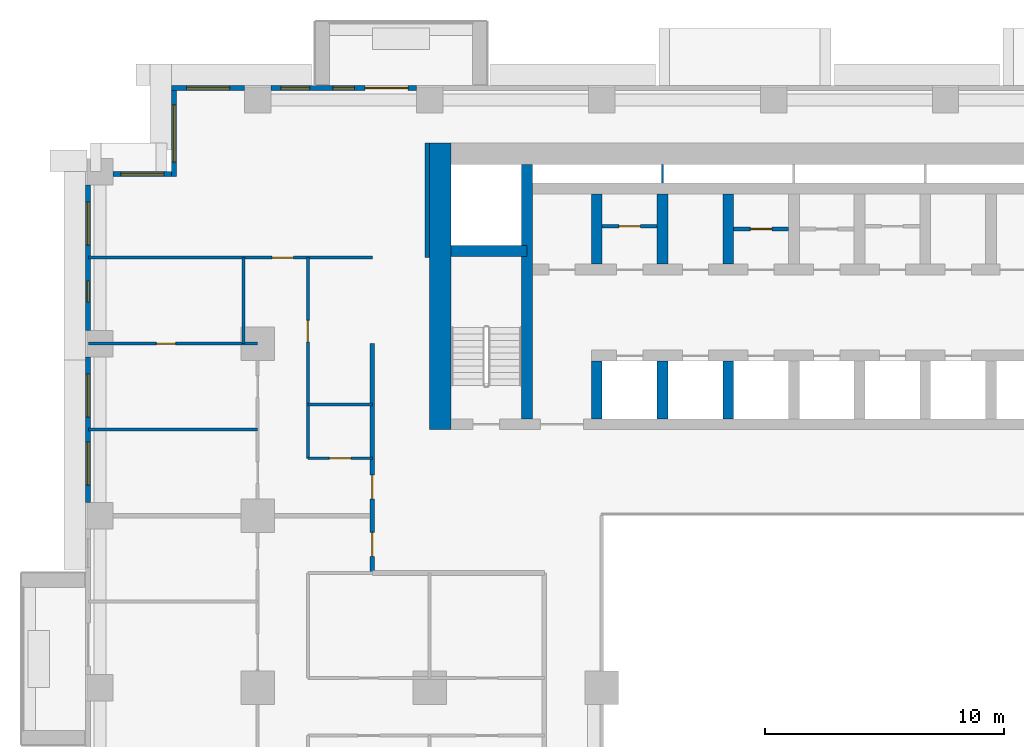
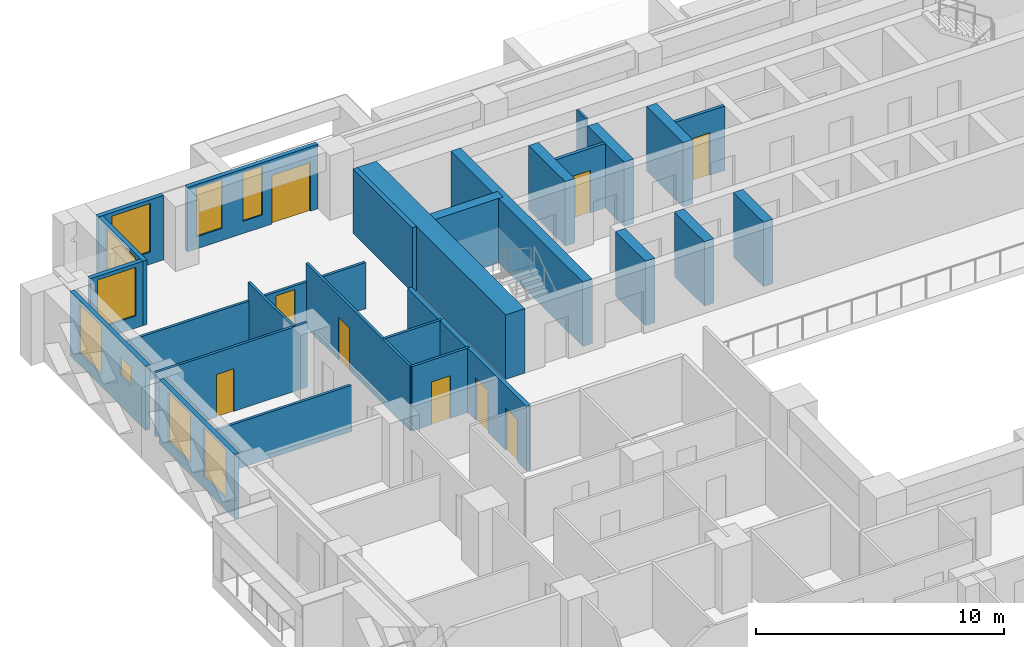
# One storey, part 9 of 16: 27 walls, 9 doors, 9 windows, 18 openings.
"""IFC4 building model written with IfcOpenShell, lengths in metres."""

from ifc_helpers import new_model, si_unit, direction, frame, frame_2d, origin, place, context, subcontext, project, spatial, rectangle, extrude, material, layer, layer_set, type_object, element, fill, save


model = new_model("IFC4")

# Units and contexts
model_context = context("Model", 3, precision=1e-05, world=origin(), true_north=direction((0.0, 1.0)))
body_context = subcontext(model_context, "Body", "Model", "MODEL_VIEW")
ifc_project = project(units=[si_unit("LENGTHUNIT", "METRE"), si_unit("AREAUNIT", "SQUARE_METRE"), si_unit("VOLUMEUNIT", "CUBIC_METRE"), si_unit("PLANEANGLEUNIT", "RADIAN"), si_unit("MASSUNIT", "GRAM", prefix="KILO")], contexts=[model_context])

# Site, building, storey
site_placement = place(None, origin())
site = spatial("IfcSite", under=ifc_project, at=site_placement, CompositionType="ELEMENT")
building_placement = place(site_placement, origin())
building = spatial("IfcBuilding", under=site, at=building_placement, Name="Saffron Iwan Residences", CompositionType="ELEMENT")
storey_placement = place(building_placement, frame((0.0, 0.0, 30.5)))
storey = spatial("IfcBuildingStorey", under=building, at=storey_placement, Name="L06", CompositionType="ELEMENT", Elevation=30.5)

# Wall, opening, door
ifc_material_1 = material(Name="Fire-rated plasterboard partition")
ifc_layer_1 = layer(ifc_material_1, 0.14990234375)
ifc_layer_set_1 = layer_set([ifc_layer_1], Name="Fire-rated plasterboard partition")
wall_type_1 = type_object("IfcWallType", Name="Core partition 150", PredefinedType="PARTITIONING", material=ifc_layer_set_1)
wall_1_placement = place(storey_placement, frame((36.02490234375, 74.51806640625, 0.0), z_axis=(0.0, 0.0, 1.0), x_axis=(1.0, 0.0, 0.0)))
wall_1 = element("IfcWall", 1, at=wall_1_placement, inside=storey, type_object=wall_type_1, Name="Core partition P01", PredefinedType="PARTITIONING", context=body_context, shape_type="SweptSolid", body=[
    extrude(rectangle(XDim=2.300048828125, YDim=0.14990234375, at=frame_2d((1.14990234375, 0.0))), origin(), (0.0, 0.0, 1.0), 3.179931640625),
])
opening_1_placement = place(wall_1_placement, frame((0.699951171875, 0.0, 0.0)))
opening_1 = element("IfcOpeningElement", 2, at=opening_1_placement, cuts=wall_1, Name="Opening SB", PredefinedType="OPENING", context=body_context, shape_type="SweptSolid", body=[
    extrude(rectangle(XDim=0.89990234375, YDim=2.10009765625, at=frame_2d((0.449951171875, 1.050048828125))), frame((0.0, 0.0849609375, 0.0), z_axis=(0.0, -1.0, 0.0), x_axis=(1.0, 0.0, 0.0)), (0.0, 0.0, 1.0), 0.169921875),
])
ifc_material_2 = material(Name="Steel fire door", Category="steel")
door_type_1 = type_object("IfcDoorType", Name="Store door 900", OperationType="NOTDEFINED", PredefinedType="DOOR", material=ifc_material_2)
door_1_placement = place(opening_1_placement, origin())
door_1 = element("IfcDoor", 3, at=door_1_placement, inside=storey, type_object=door_type_1, Name="Door Records store", OperationType="SINGLE_SWING_RIGHT", OverallHeight=2.10009765625, OverallWidth=0.89990234375, PredefinedType="DOOR", context=body_context, shape_type="SweptSolid", body=[
    extrude(rectangle(XDim=0.89990234375, YDim=2.10009765625, at=frame_2d((0.449951171875, 1.050048828125))), frame((0.0, 0.02490234375, 0.0), z_axis=(0.0, -1.0, 0.0), x_axis=(1.0, 0.0, 0.0)), (0.0, 0.0, 1.0), 0.050048828125),
])
fill(opening_1, door_1)

wall_2_placement = place(storey_placement, frame((41.52490234375, 74.39990234375, 0.0), z_axis=(0.0, 0.0, 1.0), x_axis=(1.0, 0.0, 0.0)))
wall_2 = element("IfcWall", 4, at=wall_2_placement, inside=storey, type_object=wall_type_1, Name="Core partition P02", PredefinedType="PARTITIONING", context=body_context, shape_type="SweptSolid", body=[
    extrude(rectangle(XDim=2.300048828125, YDim=0.14990234375, at=frame_2d((1.14990234375, 0.0))), origin(), (0.0, 0.0, 1.0), 3.179931640625),
])
opening_2_placement = place(wall_2_placement, frame((0.699951171875, 0.0, 0.0)))
opening_2 = element("IfcOpeningElement", 5, at=opening_2_placement, cuts=wall_2, Name="Opening SB", PredefinedType="OPENING", context=body_context, shape_type="SweptSolid", body=[
    extrude(rectangle(XDim=0.89990234375, YDim=2.10009765625, at=frame_2d((0.449951171875, 1.050048828125))), frame((0.0, 0.0849609375, 0.0), z_axis=(0.0, -1.0, 0.0), x_axis=(1.0, 0.0, 0.0)), (0.0, 0.0, 1.0), 0.169921875),
])
door_2_placement = place(opening_2_placement, origin())
door_2 = element("IfcDoor", 6, at=door_2_placement, inside=storey, type_object=door_type_1, Name="Door Tool store", OperationType="SINGLE_SWING_LEFT", OverallHeight=2.10009765625, OverallWidth=0.89990234375, PredefinedType="DOOR", context=body_context, shape_type="SweptSolid", body=[
    extrude(rectangle(XDim=0.89990234375, YDim=2.10009765625, at=frame_2d((0.449951171875, 1.050048828125))), frame((0.0, 0.02490234375, 0.0), z_axis=(0.0, -1.0, 0.0), x_axis=(1.0, 0.0, 0.0)), (0.0, 0.0, 1.0), 0.050048828125),
])
fill(opening_2, door_2)

# Wall, openings, door, windows
ifc_material_3 = material(Name="Concrete C40/50", Category="concrete")
ifc_layer_2 = layer(ifc_material_3, 0.199951171875)
ifc_layer_set_2 = layer_set([ifc_layer_2], Name="Concrete C40/50")
wall_type_2 = type_object("IfcWallType", Name="EXTERNAL WALL 200", PredefinedType="SOLIDWALL", material=ifc_layer_set_2)
wall_3_placement = place(storey_placement, frame((28.25, 80.300048828125, 0.0), z_axis=(0.0, 0.0, 1.0), x_axis=(-1.0, 0.0, 0.0)))
wall_3 = element("IfcWall", 7, at=wall_3_placement, inside=storey, type_object=wall_type_2, Name="External wall L06 F5.8", PredefinedType="SOLIDWALL", context=body_context, shape_type="SweptSolid", body=[
    extrude(rectangle(XDim=6.10009765625, YDim=0.199951171875, at=frame_2d((3.050048828125, 0.0))), origin(), (0.0, 0.0, 1.0), 3.179931640625),
])
opening_3_placement = place(wall_3_placement, frame((0.35009765625, 0.0, 0.0)))
opening_3 = element("IfcOpeningElement", 8, at=opening_3_placement, cuts=wall_3, Name="Opening BD1", PredefinedType="OPENING", context=body_context, shape_type="SweptSolid", body=[
    extrude(rectangle(XDim=1.800048828125, YDim=2.39990234375, at=frame_2d((0.89990234375, 1.199951171875))), frame((0.0, 0.10986328125, 0.0), z_axis=(0.0, -1.0, 0.0), x_axis=(1.0, 0.0, 0.0)), (0.0, 0.0, 1.0), 0.219970703125),
])
opening_4_placement = place(wall_3_placement, frame((2.60009765625, 0.0, 0.60009765625)))
opening_4 = element("IfcOpeningElement", 9, at=opening_4_placement, cuts=wall_3, Name="Opening W10", PredefinedType="OPENING", context=body_context, shape_type="SweptSolid", body=[
    extrude(rectangle(XDim=0.89990234375, YDim=2.39990234375, at=frame_2d((0.449951171875, 1.199951171875))), frame((0.0, 0.10986328125, 0.0), z_axis=(0.0, -1.0, 0.0), x_axis=(1.0, 0.0, 0.0)), (0.0, 0.0, 1.0), 0.219970703125),
])
opening_5_placement = place(wall_3_placement, frame((4.47509765625, 0.0, 0.60009765625)))
opening_5 = element("IfcOpeningElement", 10, at=opening_5_placement, cuts=wall_3, Name="Opening W3", PredefinedType="OPENING", context=body_context, shape_type="SweptSolid", body=[
    extrude(rectangle(XDim=1.199951171875, YDim=2.39990234375, at=frame_2d((0.60009765625, 1.199951171875))), frame((0.0, 0.10986328125, 0.0), z_axis=(0.0, -1.0, 0.0), x_axis=(1.0, 0.0, 0.0)), (0.0, 0.0, 1.0), 0.219970703125),
])
ifc_material_4 = material(Name="Clear glass, laminated double glazed", Category="glass")
door_type_2 = type_object("IfcDoorType", Name="BALCONY DOOR 1800 x 2400", OperationType="DOUBLE_DOOR_SLIDING", PredefinedType="DOOR", material=ifc_material_4)
door_3_placement = place(opening_3_placement, origin())
door_3 = element("IfcDoor", 11, at=door_3_placement, inside=storey, type_object=door_type_2, Name="Balcony door L06 F5.0", OperationType="DOUBLE_DOOR_SLIDING", OverallHeight=2.39990234375, OverallWidth=1.800048828125, PredefinedType="DOOR", context=body_context, shape_type="SweptSolid", body=[
    extrude(rectangle(XDim=1.800048828125, YDim=2.39990234375, at=frame_2d((0.89990234375, 1.199951171875))), frame((0.0, 0.02490234375, 0.0), z_axis=(0.0, -1.0, 0.0), x_axis=(1.0, 0.0, 0.0)), (0.0, 0.0, 1.0), 0.050048828125),
])
fill(opening_3, door_3)
window_type_1 = type_object("IfcWindowType", Name="WINDOW 1200 x 2400", PartitioningType="SINGLE_PANEL", PredefinedType="WINDOW", material=ifc_material_4)
window_1_placement = place(opening_5_placement, origin())
window_1 = element("IfcWindow", 12, at=window_1_placement, inside=storey, type_object=window_type_1, Name="Window L06 F5.2", OverallHeight=2.39990234375, OverallWidth=1.199951171875, PartitioningType="SINGLE_PANEL", PredefinedType="WINDOW", context=body_context, shape_type="SweptSolid", body=[
    extrude(rectangle(XDim=1.199951171875, YDim=2.39990234375, at=frame_2d((0.60009765625, 1.199951171875))), frame((0.0, 0.030029296875, 0.0), z_axis=(0.0, -1.0, 0.0), x_axis=(1.0, 0.0, 0.0)), (0.0, 0.0, 1.0), 0.06005859375),
])
fill(opening_5, window_1)
window_type_2 = type_object("IfcWindowType", Name="WINDOW 900 x 2400", PartitioningType="SINGLE_PANEL", PredefinedType="WINDOW", material=ifc_material_4)
window_2_placement = place(opening_4_placement, origin())
window_2 = element("IfcWindow", 13, at=window_2_placement, inside=storey, type_object=window_type_2, Name="Window L06 F5.1", OverallHeight=2.39990234375, OverallWidth=0.89990234375, PartitioningType="SINGLE_PANEL", PredefinedType="WINDOW", context=body_context, shape_type="SweptSolid", body=[
    extrude(rectangle(XDim=0.89990234375, YDim=2.39990234375, at=frame_2d((0.449951171875, 1.199951171875))), frame((0.0, 0.030029296875, 0.0), z_axis=(0.0, -1.0, 0.0), x_axis=(1.0, 0.0, 0.0)), (0.0, 0.0, 1.0), 0.06005859375),
])
fill(opening_4, window_2)

# Wall, opening, window
wall_4_placement = place(storey_placement, frame((21.050048828125, 80.300048828125, 0.0), z_axis=(0.0, 0.0, 1.0), x_axis=(-1.0, 0.0, 0.0)))
wall_4 = element("IfcWall", 14, at=wall_4_placement, inside=storey, type_object=wall_type_2, Name="External wall L06 F5.9", PredefinedType="SOLIDWALL", context=body_context, shape_type="SweptSolid", body=[
    extrude(rectangle(XDim=3.050048828125, YDim=0.199951171875, at=frame_2d((1.52490234375, 0.0))), origin(), (0.0, 0.0, 1.0), 3.179931640625),
])
opening_6_placement = place(wall_4_placement, frame((0.625, 0.0, 0.60009765625)))
opening_6 = element("IfcOpeningElement", 15, at=opening_6_placement, cuts=wall_4, Name="Opening W8", PredefinedType="OPENING", context=body_context, shape_type="SweptSolid", body=[
    extrude(rectangle(XDim=1.800048828125, YDim=2.39990234375, at=frame_2d((0.89990234375, 1.199951171875))), frame((0.0, 0.10986328125, 0.0), z_axis=(0.0, -1.0, 0.0), x_axis=(1.0, 0.0, 0.0)), (0.0, 0.0, 1.0), 0.219970703125),
])
window_type_3 = type_object("IfcWindowType", Name="WINDOW 1800 x 2400", PartitioningType="DOUBLE_PANEL_VERTICAL", PredefinedType="WINDOW", material=ifc_material_4)
window_3_placement = place(opening_6_placement, origin())
window_3 = element("IfcWindow", 16, at=window_3_placement, inside=storey, type_object=window_type_3, Name="Window L06 F5.0", OverallHeight=2.39990234375, OverallWidth=1.800048828125, PartitioningType="DOUBLE_PANEL_VERTICAL", PredefinedType="WINDOW", context=body_context, shape_type="SweptSolid", body=[
    extrude(rectangle(XDim=1.800048828125, YDim=2.39990234375, at=frame_2d((0.89990234375, 1.199951171875))), frame((0.0, 0.030029296875, 0.0), z_axis=(0.0, -1.0, 0.0), x_axis=(1.0, 0.0, 0.0)), (0.0, 0.0, 1.0), 0.06005859375),
])
fill(opening_6, window_3)

wall_5_placement = place(storey_placement, frame((18.10009765625, 80.199951171875, 0.0), z_axis=(0.0, 0.0, 1.0), x_axis=(0.0, -1.0, 0.0)))
wall_5 = element("IfcWall", 17, at=wall_5_placement, inside=storey, type_object=wall_type_2, Name="External wall L06 F6.0", PredefinedType="SOLIDWALL", context=body_context, shape_type="SweptSolid", body=[
    extrude(rectangle(XDim=3.599853515625, YDim=0.199951171875, at=frame_2d((1.7998046875, 0.0))), origin(), (0.0, 0.0, 1.0), 3.179931640625),
])
opening_7_placement = place(wall_5_placement, frame((0.60009765625, 0.0, 0.60009765625)))
opening_7 = element("IfcOpeningElement", 18, at=opening_7_placement, cuts=wall_5, Name="Opening W1", PredefinedType="OPENING", context=body_context, shape_type="SweptSolid", body=[
    extrude(rectangle(XDim=2.39990234375, YDim=2.39990234375, at=frame_2d((1.199951171875, 1.199951171875))), frame((0.0, 0.10986328125, 0.0), z_axis=(0.0, -1.0, 0.0), x_axis=(1.0, 0.0, 0.0)), (0.0, 0.0, 1.0), 0.219970703125),
])
window_type_4 = type_object("IfcWindowType", Name="WINDOW 2400 x 2400", PartitioningType="DOUBLE_PANEL_VERTICAL", PredefinedType="WINDOW", material=ifc_material_4)
window_4_placement = place(opening_7_placement, origin())
window_4 = element("IfcWindow", 19, at=window_4_placement, inside=storey, type_object=window_type_4, Name="Window L06 F6.0", OverallHeight=2.39990234375, OverallWidth=2.39990234375, PartitioningType="DOUBLE_PANEL_VERTICAL", PredefinedType="WINDOW", context=body_context, shape_type="SweptSolid", body=[
    extrude(rectangle(XDim=2.39990234375, YDim=2.39990234375, at=frame_2d((1.199951171875, 1.199951171875))), frame((0.0, 0.030029296875, 0.0), z_axis=(0.0, -1.0, 0.0), x_axis=(1.0, 0.0, 0.0)), (0.0, 0.0, 1.0), 0.06005859375),
])
fill(opening_7, window_4)

wall_6_placement = place(storey_placement, frame((18.0, 76.699951171875, 0.0), z_axis=(0.0, 0.0, 1.0), x_axis=(-1.0, 0.0, 0.0)))
wall_6 = element("IfcWall", 20, at=wall_6_placement, inside=storey, type_object=wall_type_2, Name="External wall L06 F7.0", PredefinedType="SOLIDWALL", context=body_context, shape_type="SweptSolid", body=[
    extrude(rectangle(XDim=2.449951171875, YDim=0.199951171875, at=frame_2d((1.22509765625, 0.0))), origin(), (0.0, 0.0, 1.0), 3.179931640625),
])
opening_8_placement = place(wall_6_placement, frame((0.324951171875, 0.0, 0.60009765625)))
opening_8 = element("IfcOpeningElement", 21, at=opening_8_placement, cuts=wall_6, Name="Opening W8", PredefinedType="OPENING", context=body_context, shape_type="SweptSolid", body=[
    extrude(rectangle(XDim=1.800048828125, YDim=2.39990234375, at=frame_2d((0.89990234375, 1.199951171875))), frame((0.0, 0.10986328125, 0.0), z_axis=(0.0, -1.0, 0.0), x_axis=(1.0, 0.0, 0.0)), (0.0, 0.0, 1.0), 0.219970703125),
])
window_5_placement = place(opening_8_placement, origin())
window_5 = element("IfcWindow", 22, at=window_5_placement, inside=storey, type_object=window_type_3, Name="Window L06 F7.0", OverallHeight=2.39990234375, OverallWidth=1.800048828125, PartitioningType="DOUBLE_PANEL_VERTICAL", PredefinedType="WINDOW", context=body_context, shape_type="SweptSolid", body=[
    extrude(rectangle(XDim=1.800048828125, YDim=2.39990234375, at=frame_2d((0.89990234375, 1.199951171875))), frame((0.0, 0.030029296875, 0.0), z_axis=(0.0, -1.0, 0.0), x_axis=(1.0, 0.0, 0.0)), (0.0, 0.0, 1.0), 0.06005859375),
])
fill(opening_8, window_5)

# Wall, openings, windows
wall_7_placement = place(storey_placement, frame((14.5, 76.25, 0.0), z_axis=(0.0, 0.0, 1.0), x_axis=(0.0, -1.0, 0.0)))
wall_7 = element("IfcWall", 23, at=wall_7_placement, inside=storey, type_object=wall_type_2, Name="External wall L06 F8.0", PredefinedType="SOLIDWALL", context=body_context, shape_type="SweptSolid", body=[
    extrude(rectangle(XDim=6.10009765625, YDim=0.199951171875, at=frame_2d((3.050048828125, 0.0))), origin(), (0.0, 0.0, 1.0), 3.179931640625),
])
opening_9_placement = place(wall_7_placement, frame((4.02490234375, 0.0, 1.5)))
opening_9 = element("IfcOpeningElement", 24, at=opening_9_placement, cuts=wall_7, Name="Opening W6", PredefinedType="OPENING", context=body_context, shape_type="SweptSolid", body=[
    extrude(rectangle(XDim=0.89990234375, YDim=0.89990234375, at=frame_2d((0.449951171875, 0.449951171875))), frame((0.0, 0.10986328125, 0.0), z_axis=(0.0, -1.0, 0.0), x_axis=(1.0, 0.0, 0.0)), (0.0, 0.0, 1.0), 0.219970703125),
])
opening_10_placement = place(wall_7_placement, frame((0.72509765625, 0.0, 0.60009765625)))
opening_10 = element("IfcOpeningElement", 25, at=opening_10_placement, cuts=wall_7, Name="Opening W8", PredefinedType="OPENING", context=body_context, shape_type="SweptSolid", body=[
    extrude(rectangle(XDim=1.800048828125, YDim=2.39990234375, at=frame_2d((0.89990234375, 1.199951171875))), frame((0.0, 0.10986328125, 0.0), z_axis=(0.0, -1.0, 0.0), x_axis=(1.0, 0.0, 0.0)), (0.0, 0.0, 1.0), 0.219970703125),
])
window_6_placement = place(opening_10_placement, origin())
window_6 = element("IfcWindow", 26, at=window_6_placement, inside=storey, type_object=window_type_3, Name="Window L06 F8.1", OverallHeight=2.39990234375, OverallWidth=1.800048828125, PartitioningType="DOUBLE_PANEL_VERTICAL", PredefinedType="WINDOW", context=body_context, shape_type="SweptSolid", body=[
    extrude(rectangle(XDim=1.800048828125, YDim=2.39990234375, at=frame_2d((0.89990234375, 1.199951171875))), frame((0.0, 0.030029296875, 0.0), z_axis=(0.0, -1.0, 0.0), x_axis=(1.0, 0.0, 0.0)), (0.0, 0.0, 1.0), 0.06005859375),
])
fill(opening_10, window_6)
window_type_5 = type_object("IfcWindowType", Name="WINDOW 900 x 900 BATH", PartitioningType="SINGLE_PANEL", PredefinedType="WINDOW", material=ifc_material_4)
window_7_placement = place(opening_9_placement, origin())
window_7 = element("IfcWindow", 27, at=window_7_placement, inside=storey, type_object=window_type_5, Name="Window L06 F8.0", OverallHeight=0.89990234375, OverallWidth=0.89990234375, PartitioningType="SINGLE_PANEL", PredefinedType="WINDOW", context=body_context, shape_type="SweptSolid", body=[
    extrude(rectangle(XDim=0.89990234375, YDim=0.89990234375, at=frame_2d((0.449951171875, 0.449951171875))), frame((0.0, 0.030029296875, 0.0), z_axis=(0.0, -1.0, 0.0), x_axis=(1.0, 0.0, 0.0)), (0.0, 0.0, 1.0), 0.06005859375),
])
fill(opening_9, window_7)

wall_8_placement = place(storey_placement, frame((14.5, 69.050048828125, 0.0), z_axis=(0.0, 0.0, 1.0), x_axis=(0.0, -1.0, 0.0)))
wall_8 = element("IfcWall", 28, at=wall_8_placement, inside=storey, type_object=wall_type_2, Name="External wall L06 F8.1", PredefinedType="SOLIDWALL", context=body_context, shape_type="SweptSolid", body=[
    extrude(rectangle(XDim=6.10009765625, YDim=0.199951171875, at=frame_2d((3.050048828125, 0.0))), origin(), (0.0, 0.0, 1.0), 3.179931640625),
])
opening_11_placement = place(wall_8_placement, frame((3.574951171875, 0.0, 0.60009765625)))
opening_11 = element("IfcOpeningElement", 29, at=opening_11_placement, cuts=wall_8, Name="Opening W8", PredefinedType="OPENING", context=body_context, shape_type="SweptSolid", body=[
    extrude(rectangle(XDim=1.800048828125, YDim=2.39990234375, at=frame_2d((0.89990234375, 1.199951171875))), frame((0.0, 0.10986328125, 0.0), z_axis=(0.0, -1.0, 0.0), x_axis=(1.0, 0.0, 0.0)), (0.0, 0.0, 1.0), 0.219970703125),
])
opening_12_placement = place(wall_8_placement, frame((0.72509765625, 0.0, 0.60009765625)))
opening_12 = element("IfcOpeningElement", 30, at=opening_12_placement, cuts=wall_8, Name="Opening W8", PredefinedType="OPENING", context=body_context, shape_type="SweptSolid", body=[
    extrude(rectangle(XDim=1.800048828125, YDim=2.39990234375, at=frame_2d((0.89990234375, 1.199951171875))), frame((0.0, 0.10986328125, 0.0), z_axis=(0.0, -1.0, 0.0), x_axis=(1.0, 0.0, 0.0)), (0.0, 0.0, 1.0), 0.219970703125),
])
window_8_placement = place(opening_11_placement, origin())
window_8 = element("IfcWindow", 31, at=window_8_placement, inside=storey, type_object=window_type_3, Name="Window L06 F8.0", OverallHeight=2.39990234375, OverallWidth=1.800048828125, PartitioningType="DOUBLE_PANEL_VERTICAL", PredefinedType="WINDOW", context=body_context, shape_type="SweptSolid", body=[
    extrude(rectangle(XDim=1.800048828125, YDim=2.39990234375, at=frame_2d((0.89990234375, 1.199951171875))), frame((0.0, 0.030029296875, 0.0), z_axis=(0.0, -1.0, 0.0), x_axis=(1.0, 0.0, 0.0)), (0.0, 0.0, 1.0), 0.06005859375),
])
fill(opening_11, window_8)
window_9_placement = place(opening_12_placement, origin())
window_9 = element("IfcWindow", 32, at=window_9_placement, inside=storey, type_object=window_type_3, Name="Window L06 F8.1", OverallHeight=2.39990234375, OverallWidth=1.800048828125, PartitioningType="DOUBLE_PANEL_VERTICAL", PredefinedType="WINDOW", context=body_context, shape_type="SweptSolid", body=[
    extrude(rectangle(XDim=1.800048828125, YDim=2.39990234375, at=frame_2d((0.89990234375, 1.199951171875))), frame((0.0, 0.030029296875, 0.0), z_axis=(0.0, -1.0, 0.0), x_axis=(1.0, 0.0, 0.0)), (0.0, 0.0, 1.0), 0.06005859375),
])
fill(opening_12, window_9)

# Wall, opening, door
ifc_material_5 = material(Name="Gypsum board partition")
ifc_layer_3 = layer(ifc_material_5, 0.1201171875)
ifc_layer_set_3 = layer_set([ifc_layer_3], Name="Gypsum board partition")
wall_type_3 = type_object("IfcWallType", Name="Flat partition 120", PredefinedType="PARTITIONING", material=ifc_layer_set_3)
wall_9_placement = place(storey_placement, frame((23.699951171875, 64.800048828125, 0.0), z_axis=(0.0, 0.0, 1.0), x_axis=(1.0, 0.0, 0.0)))
wall_9 = element("IfcWall", 33, at=wall_9_placement, inside=storey, type_object=wall_type_3, Name="W-L06-PART-h64.8-23.7", PredefinedType="PARTITIONING", context=body_context, shape_type="SweptSolid", body=[
    extrude(rectangle(XDim=2.699951171875, YDim=0.1201171875, at=frame_2d((1.35009765625, 0.0))), origin(), (0.0, 0.0, 1.0), 3.179931640625),
])
opening_13_placement = place(wall_9_placement, frame((0.89990234375, 0.0, 0.0)))
opening_13 = element("IfcOpeningElement", 34, at=opening_13_placement, cuts=wall_9, Name="Opening FD2", PredefinedType="OPENING", context=body_context, shape_type="SweptSolid", body=[
    extrude(rectangle(XDim=0.89990234375, YDim=2.10009765625, at=frame_2d((0.449951171875, 1.050048828125))), frame((0.0, 0.070068359375, 0.0), z_axis=(0.0, -1.0, 0.0), x_axis=(1.0, 0.0, 0.0)), (0.0, 0.0, 1.0), 0.14013671875),
])
ifc_material_6 = material(Name="Timber door", Category="wood")
door_type_3 = type_object("IfcDoorType", Name="Flat door 900", OperationType="NOTDEFINED", PredefinedType="DOOR", material=ifc_material_6)
door_4_placement = place(opening_13_placement, origin())
door_4 = element("IfcDoor", 35, at=door_4_placement, inside=storey, type_object=door_type_3, Name="Door L06-033", OperationType="SINGLE_SWING_LEFT", OverallHeight=2.10009765625, OverallWidth=0.89990234375, PredefinedType="DOOR", context=body_context, shape_type="SweptSolid", body=[
    extrude(rectangle(XDim=0.89990234375, YDim=2.10009765625, at=frame_2d((0.449951171875, 1.050048828125))), frame((0.0, 0.02490234375, 0.0), z_axis=(0.0, -1.0, 0.0), x_axis=(1.0, 0.0, 0.0)), (0.0, 0.0, 1.0), 0.050048828125),
])
fill(opening_13, door_4)

# Walls
wall_10_placement = place(storey_placement, frame((14.52490234375, 66.0, 0.0), z_axis=(0.0, 0.0, 1.0), x_axis=(1.0, 0.0, 0.0)))
element("IfcWall", 36, at=wall_10_placement, inside=storey, type_object=wall_type_3, Name="W-L06-PART-h66-14.525", PredefinedType="PARTITIONING", context=body_context, shape_type="SweptSolid", body=[
    extrude(rectangle(XDim=7.0751953125, YDim=0.1201171875, at=frame_2d((3.53759765625, 0.0))), origin(), (0.0, 0.0, 1.0), 2.280029296875),
])
wall_11_placement = place(storey_placement, frame((23.699951171875, 67.050048828125, 0.0), z_axis=(0.0, 0.0, 1.0), x_axis=(1.0, 0.0, 0.0)))
element("IfcWall", 37, at=wall_11_placement, inside=storey, type_object=wall_type_3, Name="W-L06-PART-h67.05-23.7", PredefinedType="PARTITIONING", context=body_context, shape_type="SweptSolid", body=[
    extrude(rectangle(XDim=2.699951171875, YDim=0.1201171875, at=frame_2d((1.35009765625, 0.0))), origin(), (0.0, 0.0, 1.0), 3.179931640625),
])

# Wall, opening, door
wall_12_placement = place(storey_placement, frame((14.52490234375, 69.60009765625, 0.0), z_axis=(0.0, 0.0, 1.0), x_axis=(1.0, 0.0, 0.0)))
wall_12 = element("IfcWall", 38, at=wall_12_placement, inside=storey, type_object=wall_type_3, Name="W-L06-PART-h69.6-14.525", PredefinedType="PARTITIONING", context=body_context, shape_type="SweptSolid", body=[
    extrude(rectangle(XDim=7.0751953125, YDim=0.1201171875, at=frame_2d((3.53759765625, 0.0))), origin(), (0.0, 0.0, 1.0), 3.179931640625),
])
opening_14_placement = place(wall_12_placement, frame((2.83740234375, 0.0, 0.0)))
opening_14 = element("IfcOpeningElement", 39, at=opening_14_placement, cuts=wall_12, Name="Opening FD3", PredefinedType="OPENING", context=body_context, shape_type="SweptSolid", body=[
    extrude(rectangle(XDim=0.800048828125, YDim=2.10009765625, at=frame_2d((0.39990234375, 1.050048828125))), frame((0.0, 0.070068359375, 0.0), z_axis=(0.0, -1.0, 0.0), x_axis=(1.0, 0.0, 0.0)), (0.0, 0.0, 1.0), 0.14013671875),
])
door_type_4 = type_object("IfcDoorType", Name="Bathroom door 800", OperationType="NOTDEFINED", PredefinedType="DOOR", material=ifc_material_6)
door_5_placement = place(opening_14_placement, origin())
door_5 = element("IfcDoor", 40, at=door_5_placement, inside=storey, type_object=door_type_4, Name="Door L06-031", OperationType="SINGLE_SWING_RIGHT", OverallHeight=2.10009765625, OverallWidth=0.800048828125, PredefinedType="DOOR", context=body_context, shape_type="SweptSolid", body=[
    extrude(rectangle(XDim=0.800048828125, YDim=2.10009765625, at=frame_2d((0.39990234375, 1.050048828125))), frame((0.0, 0.02490234375, 0.0), z_axis=(0.0, -1.0, 0.0), x_axis=(1.0, 0.0, 0.0)), (0.0, 0.0, 1.0), 0.050048828125),
])
fill(opening_14, door_5)

wall_13_placement = place(storey_placement, frame((14.52490234375, 73.199951171875, 0.0), z_axis=(0.0, 0.0, 1.0), x_axis=(1.0, 0.0, 0.0)))
wall_13 = element("IfcWall", 41, at=wall_13_placement, inside=storey, type_object=wall_type_3, Name="W-L06-PART-h73.2-14.525", PredefinedType="PARTITIONING", context=body_context, shape_type="SweptSolid", body=[
    extrude(rectangle(XDim=11.875, YDim=0.1201171875, at=frame_2d((5.9375, 0.0))), origin(), (0.0, 0.0, 1.0), 2.280029296875),
])
opening_15_placement = place(wall_13_placement, frame((7.675048828125, 0.0, 0.0)))
opening_15 = element("IfcOpeningElement", 42, at=opening_15_placement, cuts=wall_13, Name="Opening FD2", PredefinedType="OPENING", context=body_context, shape_type="SweptSolid", body=[
    extrude(rectangle(XDim=0.89990234375, YDim=2.10009765625, at=frame_2d((0.449951171875, 1.050048828125))), frame((0.0, 0.070068359375, 0.0), z_axis=(0.0, -1.0, 0.0), x_axis=(1.0, 0.0, 0.0)), (0.0, 0.0, 1.0), 0.14013671875),
])
door_6_placement = place(opening_15_placement, origin())
door_6 = element("IfcDoor", 43, at=door_6_placement, inside=storey, type_object=door_type_3, Name="Door L06-032", OperationType="SINGLE_SWING_LEFT", OverallHeight=2.10009765625, OverallWidth=0.89990234375, PredefinedType="DOOR", context=body_context, shape_type="SweptSolid", body=[
    extrude(rectangle(XDim=0.89990234375, YDim=2.10009765625, at=frame_2d((0.449951171875, 1.050048828125))), frame((0.0, 0.02490234375, 0.0), z_axis=(0.0, -1.0, 0.0), x_axis=(1.0, 0.0, 0.0)), (0.0, 0.0, 1.0), 0.050048828125),
])
fill(opening_15, door_6)

# Wall
wall_14_placement = place(storey_placement, frame((21.0, 69.60009765625, 0.0), z_axis=(0.0, 0.0, 1.0), x_axis=(0.0, 1.0, 0.0)))
element("IfcWall", 44, at=wall_14_placement, inside=storey, type_object=wall_type_3, Name="W-L06-PART-v21-69.6", PredefinedType="PARTITIONING", context=body_context, shape_type="SweptSolid", body=[
    extrude(rectangle(XDim=3.599853515625, YDim=0.1201171875, at=frame_2d((1.7998046875, 0.0))), origin(), (0.0, 0.0, 1.0), 3.179931640625),
])

# Wall, opening, door
wall_15_placement = place(storey_placement, frame((23.699951171875, 64.800048828125, 0.0), z_axis=(0.0, 0.0, 1.0), x_axis=(0.0, 1.0, 0.0)))
wall_15 = element("IfcWall", 45, at=wall_15_placement, inside=storey, type_object=wall_type_3, Name="W-L06-PART-v23.7-64.8", PredefinedType="PARTITIONING", context=body_context, shape_type="SweptSolid", body=[
    extrude(rectangle(XDim=8.39990234375, YDim=0.1201171875, at=frame_2d((4.199951171875, 0.0))), origin(), (0.0, 0.0, 1.0), 3.179931640625),
])
opening_16_placement = place(wall_15_placement, frame((4.875, 0.0, 0.0)))
opening_16 = element("IfcOpeningElement", 46, at=opening_16_placement, cuts=wall_15, Name="Opening FD2", PredefinedType="OPENING", context=body_context, shape_type="SweptSolid", body=[
    extrude(rectangle(XDim=0.89990234375, YDim=2.10009765625, at=frame_2d((0.449951171875, 1.050048828125))), frame((0.0, 0.070068359375, 0.0), z_axis=(0.0, -1.0, 0.0), x_axis=(1.0, 0.0, 0.0)), (0.0, 0.0, 1.0), 0.14013671875),
])
door_7_placement = place(opening_16_placement, origin())
door_7 = element("IfcDoor", 47, at=door_7_placement, inside=storey, type_object=door_type_3, Name="Door L06-034", OperationType="SINGLE_SWING_RIGHT", OverallHeight=2.10009765625, OverallWidth=0.89990234375, PredefinedType="DOOR", context=body_context, shape_type="SweptSolid", body=[
    extrude(rectangle(XDim=0.89990234375, YDim=2.10009765625, at=frame_2d((0.449951171875, 1.050048828125))), frame((0.0, 0.02490234375, 0.0), z_axis=(0.0, -1.0, 0.0), x_axis=(1.0, 0.0, 0.0)), (0.0, 0.0, 1.0), 0.050048828125),
])
fill(opening_16, door_7)

# Wall, openings, doors
ifc_material_7 = material(Name="Fire-rated gypsum board wall")
ifc_layer_4 = layer(ifc_material_7, 0.199951171875)
ifc_layer_set_4 = layer_set([ifc_layer_4], Name="Fire-rated gypsum board wall")
wall_type_4 = type_object("IfcWallType", Name="Gallery wall 200", PredefinedType="SOLIDWALL", material=ifc_layer_set_4)
wall_16_placement = place(storey_placement, frame((26.39990234375, 60.0, 0.0), z_axis=(0.0, 0.0, 1.0), x_axis=(0.0, 1.0, 0.0)))
wall_16 = element("IfcWall", 48, at=wall_16_placement, inside=storey, type_object=wall_type_4, Name="W-L06-CORR-v26.4-60", PredefinedType="SOLIDWALL", context=body_context, shape_type="SweptSolid", body=[
    extrude(rectangle(XDim=9.60009765625, YDim=0.199951171875, at=frame_2d((4.800048828125, 0.0))), origin(), (0.0, 0.0, 1.0), 3.179931640625),
])
opening_17_placement = place(wall_16_placement, frame((0.699951171875, 0.0, 0.0)))
opening_17 = element("IfcOpeningElement", 49, at=opening_17_placement, cuts=wall_16, Name="Opening FD1", PredefinedType="OPENING", context=body_context, shape_type="SweptSolid", body=[
    extrude(rectangle(XDim=1.0, YDim=2.10009765625, at=frame_2d((0.5, 1.050048828125))), frame((0.0, 0.10986328125, 0.0), z_axis=(0.0, -1.0, 0.0), x_axis=(1.0, 0.0, 0.0)), (0.0, 0.0, 1.0), 0.219970703125),
])
opening_18_placement = place(wall_16_placement, frame((3.10009765625, 0.0, 0.0)))
opening_18 = element("IfcOpeningElement", 50, at=opening_18_placement, cuts=wall_16, Name="Opening FD1", PredefinedType="OPENING", context=body_context, shape_type="SweptSolid", body=[
    extrude(rectangle(XDim=1.0, YDim=2.10009765625, at=frame_2d((0.5, 1.050048828125))), frame((0.0, 0.10986328125, 0.0), z_axis=(0.0, -1.0, 0.0), x_axis=(1.0, 0.0, 0.0)), (0.0, 0.0, 1.0), 0.219970703125),
])
ifc_material_8 = material(Name="Fire-rated timber door", Category="wood")
door_type_5 = type_object("IfcDoorType", Name="FD30S flat entrance door 1000", OperationType="NOTDEFINED", PredefinedType="DOOR", material=ifc_material_8)
door_8_placement = place(opening_17_placement, origin())
door_8 = element("IfcDoor", 51, at=door_8_placement, inside=storey, type_object=door_type_5, Name="Door L06-012", OperationType="SINGLE_SWING_LEFT", OverallHeight=2.10009765625, OverallWidth=1.0, PredefinedType="DOOR", context=body_context, shape_type="SweptSolid", body=[
    extrude(rectangle(XDim=1.0, YDim=2.10009765625, at=frame_2d((0.5, 1.050048828125))), frame((0.0, 0.02490234375, 0.0), z_axis=(0.0, -1.0, 0.0), x_axis=(1.0, 0.0, 0.0)), (0.0, 0.0, 1.0), 0.050048828125),
])
fill(opening_17, door_8)
door_9_placement = place(opening_18_placement, origin())
door_9 = element("IfcDoor", 52, at=door_9_placement, inside=storey, type_object=door_type_5, Name="Door L06-028", OperationType="SINGLE_SWING_RIGHT", OverallHeight=2.10009765625, OverallWidth=1.0, PredefinedType="DOOR", context=body_context, shape_type="SweptSolid", body=[
    extrude(rectangle(XDim=1.0, YDim=2.10009765625, at=frame_2d((0.5, 1.050048828125))), frame((0.0, 0.02490234375, 0.0), z_axis=(0.0, -1.0, 0.0), x_axis=(1.0, 0.0, 0.0)), (0.0, 0.0, 1.0), 0.050048828125),
])
fill(opening_18, door_9)

# Walls
wall_17_placement = place(storey_placement, frame((28.699951171875, 73.199951171875, 0.0), z_axis=(0.0, 0.0, 1.0), x_axis=(0.0, 1.0, 0.0)))
element("IfcWall", 53, at=wall_17_placement, inside=storey, type_object=wall_type_4, Name="W-L06-CORR-v28.8-73.2", PredefinedType="SOLIDWALL", context=body_context, shape_type="SweptSolid", body=[
    extrude(rectangle(XDim=4.800048828125, YDim=0.199951171875, at=frame_2d((2.39990234375, 0.0))), origin(), (0.0, 0.0, 1.0), 3.179931640625),
])
ifc_layer_5 = layer(ifc_material_1, 0.10009765625)
ifc_layer_set_5 = layer_set([ifc_layer_5], Name="Fire-rated plasterboard partition")
wall_type_5 = type_object("IfcWallType", Name="Riser partition 100", PredefinedType="PARTITIONING", material=ifc_layer_set_5)
wall_18_placement = place(storey_placement, frame((38.550048828125, 76.324951171875, 0.0), z_axis=(0.0, 0.0, 1.0), x_axis=(0.0, 1.0, 0.0)))
element("IfcWall", 54, at=wall_18_placement, inside=storey, type_object=wall_type_5, Name="Core partition P05", PredefinedType="PARTITIONING", context=body_context, shape_type="SweptSolid", body=[
    extrude(rectangle(XDim=0.775146484375, YDim=0.10009765625, at=frame_2d((0.3876953125, 0.0))), origin(), (0.0, 0.0, 1.0), 3.179931640625),
])
ifc_material_9 = material(Name="Concrete C60/75", Category="concrete")
ifc_layer_6 = layer(ifc_material_9, 0.449951171875)
ifc_layer_set_6 = layer_set([ifc_layer_6], Name="Concrete C60/75")
wall_type_6 = type_object("IfcWallType", Name="WALL CORE 450 C60/75 3180 HIGH", PredefinedType="SHEAR", material=ifc_layer_set_6)
wall_19_placement = place(storey_placement, frame((29.699951171875, 73.47509765625, 0.0), z_axis=(0.0, 0.0, 1.0), x_axis=(1.0, 0.0, 0.0)))
element("IfcWall", 55, at=wall_19_placement, inside=storey, type_object=wall_type_6, Name="Core wall", PredefinedType="SHEAR", context=body_context, shape_type="SweptSolid", body=[
    extrude(rectangle(XDim=3.175048828125, YDim=0.449951171875, at=frame_2d((1.58740234375, 0.0))), origin(), (0.0, 0.0, 1.0), 3.179931640625),
])
wall_20_placement = place(storey_placement, frame((32.875, 66.449951171875, 0.0), z_axis=(0.0, 0.0, 1.0), x_axis=(0.0, 1.0, 0.0)))
element("IfcWall", 56, at=wall_20_placement, inside=storey, type_object=wall_type_6, Name="Core wall", PredefinedType="SHEAR", context=body_context, shape_type="SweptSolid", body=[
    extrude(rectangle(XDim=10.650146484375, YDim=0.449951171875, at=frame_2d((5.3251953125, 0.0))), origin(), (0.0, 0.0, 1.0), 3.179931640625),
])
for number, where, z_axis, x_axis, name in (
    (57, (35.800048828125, 66.449951171875, 0.0), (0.0, 0.0, 1.0), (0.0, 1.0, 0.0), "Core wall"),
    (58, (38.550048828125, 66.449951171875, 0.0), (0.0, 0.0, 1.0), (0.0, 1.0, 0.0), "Core wall"),
    (59, (41.300048828125, 66.449951171875, 0.0), (0.0, 0.0, 1.0), (0.0, 1.0, 0.0), "Core wall"),
):
    element("IfcWall", number, at=place(storey_placement, frame(where, z_axis=z_axis, x_axis=x_axis)), inside=storey, type_object=wall_type_6, Name=name, PredefinedType="SHEAR", context=body_context, shape_type="SweptSolid", body=[
        extrude(rectangle(XDim=2.425048828125, YDim=0.449951171875, at=frame_2d((1.21240234375, 0.0))), origin(), (0.0, 0.0, 1.0), 3.179931640625),
    ])
for number, where, z_axis, x_axis, name in (
    (60, (35.800048828125, 72.925048828125, 0.0), (0.0, 0.0, 1.0), (0.0, 1.0, 0.0), "Core wall"),
    (61, (38.550048828125, 72.925048828125, 0.0), (0.0, 0.0, 1.0), (0.0, 1.0, 0.0), "Core wall"),
    (62, (41.300048828125, 72.925048828125, 0.0), (0.0, 0.0, 1.0), (0.0, 1.0, 0.0), "Core wall"),
):
    element("IfcWall", number, at=place(storey_placement, frame(where, z_axis=z_axis, x_axis=x_axis)), inside=storey, type_object=wall_type_6, Name=name, PredefinedType="SHEAR", context=body_context, shape_type="SweptSolid", body=[
        extrude(rectangle(XDim=2.949951171875, YDim=0.449951171875, at=frame_2d((1.47509765625, 0.0))), origin(), (0.0, 0.0, 1.0), 3.179931640625),
    ])
ifc_layer_7 = layer(ifc_material_9, 0.89990234375)
ifc_layer_set_7 = layer_set([ifc_layer_7], Name="Concrete C60/75")
wall_type_7 = type_object("IfcWallType", Name="WALL CORE 900 C60/75 3180 HIGH", PredefinedType="SHEAR", material=ifc_layer_set_7)
wall_21_placement = place(storey_placement, frame((29.25, 66.0, 0.0), z_axis=(0.0, 0.0, 1.0), x_axis=(0.0, 1.0, 0.0)))
element("IfcWall", 63, at=wall_21_placement, inside=storey, type_object=wall_type_7, Name="Core wall", PredefinedType="SHEAR", context=body_context, shape_type="SweptSolid", body=[
    extrude(rectangle(XDim=12.0, YDim=0.89990234375, at=frame_2d((6.0, 0.0))), origin(), (0.0, 0.0, 1.0), 3.179931640625),
])

save(model, "model.ifc")
